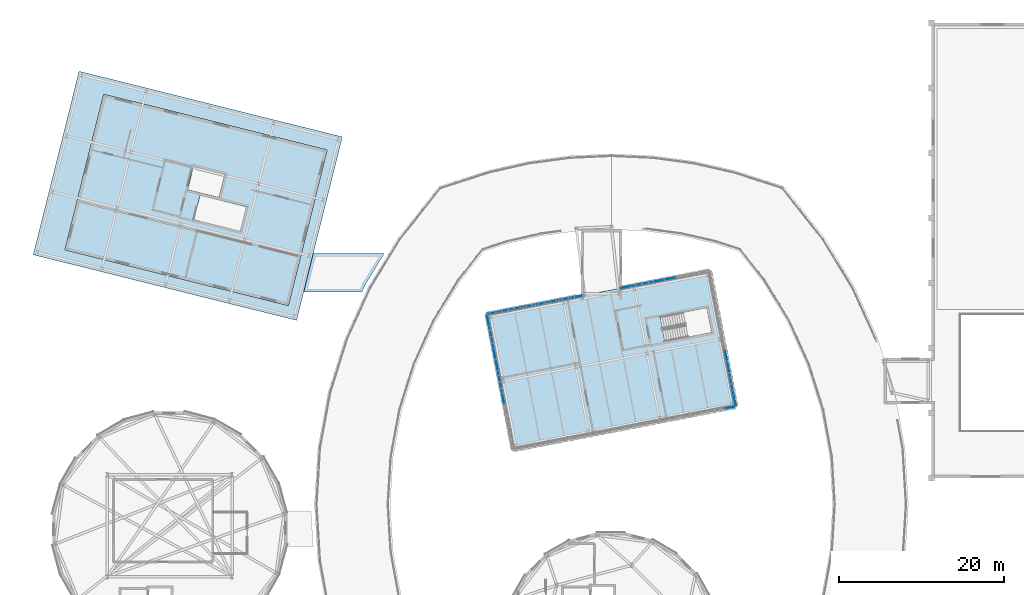
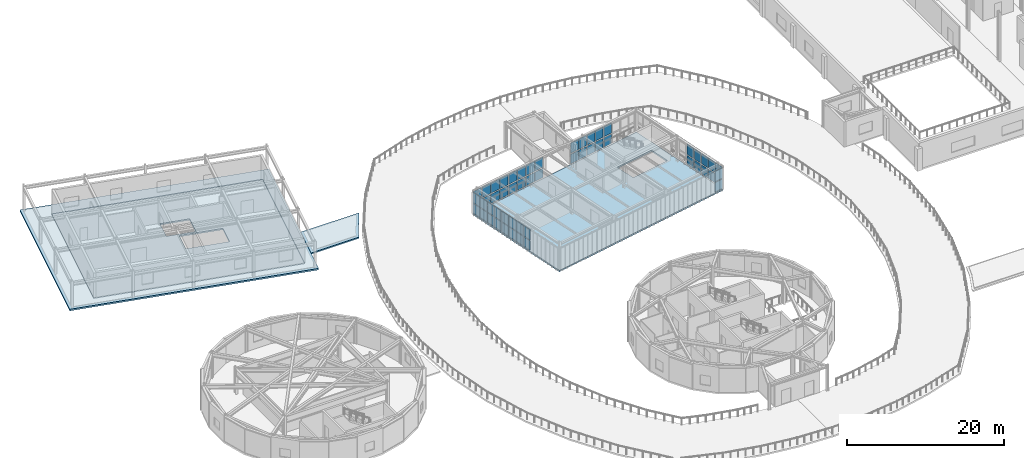
# One storey, part 28 of 59: 54 plates, 4 slabs, 9 elements without a shape of their own.
"""IFC4 building model written with IfcOpenShell, lengths in metres."""

from ifc_helpers import new_model, si_unit, direction, frame, origin, origin_2d, place, context, subcontext, project, spatial, polyline, rectangle, outline, extrude, material, layer, layer_set, type_object, element, aggregate, save


model = new_model("IFC4")

# Units and contexts
model_context = context("Model", 3, precision=1e-05, world=origin(), true_north=direction((0.0, 1.0)))
body_context = subcontext(model_context, "Body", "Model", "MODEL_VIEW")
ifc_project = project(units=[si_unit("LENGTHUNIT", "METRE"), si_unit("AREAUNIT", "SQUARE_METRE"), si_unit("VOLUMEUNIT", "CUBIC_METRE"), si_unit("PLANEANGLEUNIT", "RADIAN"), si_unit("MASSUNIT", "GRAM", prefix="KILO")], contexts=[model_context])

# Site, building, storey
site_placement = place(None, origin())
site = spatial("IfcSite", under=ifc_project, at=site_placement, CompositionType="ELEMENT")
building_placement = place(site_placement, origin())
building = spatial("IfcBuilding", under=site, at=building_placement, Name="Varnklinge Art Gallery", CompositionType="ELEMENT")
storey_placement = place(building_placement, frame((0.0, 0.0, 9.52001953125)))
storey = spatial("IfcBuildingStorey", under=building, at=storey_placement, Name="L02", CompositionType="ELEMENT", Elevation=9.52001953125)

# Curtain wall, plates
ifc_material_1 = material(Name="Anodised Aluminium", Category="aluminium")
curtain_wall_type_1 = type_object("IfcCurtainWallType", Name="CW-L03", PredefinedType="USERDEFINED", material=ifc_material_1)
curtain_wall_1_placement = place(storey_placement, origin())
curtain_wall_1 = element("IfcCurtainWall", 1, at=curtain_wall_1_placement, inside=storey, type_object=curtain_wall_type_1, Name="L02 Curtain Wall CW-V4B-L02-1-1-4", ObjectType="UNITISED CURTAIN WALL", PredefinedType="USERDEFINED")
ifc_material_2 = material(Name="Insulated Low-E Triple Glazing", Category="glass")
ifc_layer_1 = layer(ifc_material_2, 0.0439453125)
ifc_layer_set_1 = layer_set([ifc_layer_1], Name="Insulated Low-E Triple Glazing")
plate_type = type_object("IfcPlateType", Name="GLZ-44", PredefinedType="CURTAIN_PANEL", material=ifc_layer_set_1)
plate_1_placement = place(storey_placement, frame((89.95361328125, 66.752197265625, 0.14794921875), z_axis=(0.0, 0.0, 1.0), x_axis=(0.981627183448, 0.190808995377, 0.0)))
plate_1 = element("IfcPlate", 2, at=plate_1_placement, type_object=plate_type, Name="CW-V4B-L02-1-1-4 Glazing Panel 5.1", PredefinedType="CURTAIN_PANEL", context=body_context, shape_type="SweptSolid", body=[
    extrude(rectangle(XDim=1.271484375, YDim=0.0439453125, at=origin_2d()), origin(), (0.0, 0.0, 1.0), 1.4638671875),
])
plate_2_placement = place(storey_placement, frame((89.95361328125, 66.752197265625, 1.7578125), z_axis=(0.0, 0.0, 1.0), x_axis=(0.981627183448, 0.190808995377, 0.0)))
plate_2 = element("IfcPlate", 3, at=plate_2_placement, type_object=plate_type, Name="CW-V4B-L02-1-1-4 Glazing Panel 5.2", PredefinedType="CURTAIN_PANEL", context=body_context, shape_type="SweptSolid", body=[
    extrude(rectangle(XDim=1.271484375, YDim=0.0439453125, at=origin_2d()), origin(), (0.0, 0.0, 1.0), 1.604248046875),
])
aggregate(curtain_wall_1, [plate_1, plate_2])

ifc_material_3 = material(Name="Anodised Aluminium", Category="aluminium")
curtain_wall_type_2 = type_object("IfcCurtainWallType", Name="CW-L07", PredefinedType="USERDEFINED", material=ifc_material_3)
curtain_wall_2_placement = place(storey_placement, origin())
curtain_wall_2 = element("IfcCurtainWall", 4, at=curtain_wall_2_placement, inside=storey, type_object=curtain_wall_type_2, Name="L02 Curtain Wall CW-V4B-L02-2-1-1", ObjectType="UNITISED CURTAIN WALL", PredefinedType="USERDEFINED")
plate_3_placement = place(storey_placement, frame((90.51220703125, 67.593017578125, 0.14794921875), z_axis=(0.0, 0.0, 1.0), x_axis=(-0.190808995377, 0.981627183448, 0.0)))
plate_3 = element("IfcPlate", 5, at=plate_3_placement, type_object=plate_type, Name="CW-V4B-L02-2-1-1 Glazing Panel 1.1", PredefinedType="CURTAIN_PANEL", context=body_context, shape_type="SweptSolid", body=[
    extrude(rectangle(XDim=1.29150390625, YDim=0.0439453125, at=origin_2d()), origin(), (0.0, 0.0, 1.0), 1.4638671875),
])
plate_4_placement = place(storey_placement, frame((90.51220703125, 67.593017578125, 1.7578125), z_axis=(0.0, 0.0, 1.0), x_axis=(-0.190808995377, 0.981627183448, 0.0)))
plate_4 = element("IfcPlate", 6, at=plate_4_placement, type_object=plate_type, Name="CW-V4B-L02-2-1-1 Glazing Panel 1.2", PredefinedType="CURTAIN_PANEL", context=body_context, shape_type="SweptSolid", body=[
    extrude(rectangle(XDim=1.29150390625, YDim=0.0439453125, at=origin_2d()), origin(), (0.0, 0.0, 1.0), 1.604248046875),
])
plate_5_placement = place(storey_placement, frame((90.24853515625, 68.948974609375, 0.14794921875), z_axis=(0.0, 0.0, 1.0), x_axis=(-0.190808995377, 0.981627183448, 0.0)))
plate_5 = element("IfcPlate", 7, at=plate_5_placement, type_object=plate_type, Name="CW-V4B-L02-2-1-1 Glazing Panel 2.1", PredefinedType="CURTAIN_PANEL", context=body_context, shape_type="SweptSolid", body=[
    extrude(rectangle(XDim=1.3291015625, YDim=0.0439453125, at=origin_2d()), origin(), (0.0, 0.0, 1.0), 1.4638671875),
])
plate_6_placement = place(storey_placement, frame((90.24853515625, 68.948974609375, 1.7578125), z_axis=(0.0, 0.0, 1.0), x_axis=(-0.190808995377, 0.981627183448, 0.0)))
plate_6 = element("IfcPlate", 8, at=plate_6_placement, type_object=plate_type, Name="CW-V4B-L02-2-1-1 Glazing Panel 2.2", PredefinedType="CURTAIN_PANEL", context=body_context, shape_type="SweptSolid", body=[
    extrude(rectangle(XDim=1.3291015625, YDim=0.0439453125, at=origin_2d()), origin(), (0.0, 0.0, 1.0), 1.604248046875),
])
plate_7_placement = place(storey_placement, frame((89.9814453125, 70.3232421875, 0.14794921875), z_axis=(0.0, 0.0, 1.0), x_axis=(-0.190808995377, 0.981627183448, 0.0)))
plate_7 = element("IfcPlate", 9, at=plate_7_placement, type_object=plate_type, Name="CW-V4B-L02-2-1-1 Glazing Panel 3.1", PredefinedType="CURTAIN_PANEL", context=body_context, shape_type="SweptSolid", body=[
    extrude(rectangle(XDim=1.3291015625, YDim=0.0439453125, at=origin_2d()), origin(), (0.0, 0.0, 1.0), 1.4638671875),
])
plate_8_placement = place(storey_placement, frame((89.9814453125, 70.3232421875, 1.7578125), z_axis=(0.0, 0.0, 1.0), x_axis=(-0.190808995377, 0.981627183448, 0.0)))
plate_8 = element("IfcPlate", 10, at=plate_8_placement, type_object=plate_type, Name="CW-V4B-L02-2-1-1 Glazing Panel 3.2", PredefinedType="CURTAIN_PANEL", context=body_context, shape_type="SweptSolid", body=[
    extrude(rectangle(XDim=1.3291015625, YDim=0.0439453125, at=origin_2d()), origin(), (0.0, 0.0, 1.0), 1.604248046875),
])
plate_9_placement = place(storey_placement, frame((89.718017578125, 71.67919921875, 0.14794921875), z_axis=(0.0, 0.0, 1.0), x_axis=(-0.190808995377, 0.981627183448, 0.0)))
plate_9 = element("IfcPlate", 11, at=plate_9_placement, type_object=plate_type, Name="CW-V4B-L02-2-1-1 Glazing Panel 4.1", PredefinedType="CURTAIN_PANEL", context=body_context, shape_type="SweptSolid", body=[
    extrude(rectangle(XDim=1.29150390625, YDim=0.0439453125, at=origin_2d()), origin(), (0.0, 0.0, 1.0), 1.4638671875),
])
plate_10_placement = place(storey_placement, frame((89.718017578125, 71.67919921875, 1.7578125), z_axis=(0.0, 0.0, 1.0), x_axis=(-0.190808995377, 0.981627183448, 0.0)))
plate_10 = element("IfcPlate", 12, at=plate_10_placement, type_object=plate_type, Name="CW-V4B-L02-2-1-1 Glazing Panel 4.2", PredefinedType="CURTAIN_PANEL", context=body_context, shape_type="SweptSolid", body=[
    extrude(rectangle(XDim=1.29150390625, YDim=0.0439453125, at=origin_2d()), origin(), (0.0, 0.0, 1.0), 1.604248046875),
])
aggregate(curtain_wall_2, [plate_3, plate_4, plate_5, plate_6, plate_7, plate_8, plate_9, plate_10])

curtain_wall_3_placement = place(storey_placement, origin())
curtain_wall_3 = element("IfcCurtainWall", 13, at=curtain_wall_3_placement, inside=storey, type_object=curtain_wall_type_2, Name="L02 Curtain Wall CW-V4B-L02-2-1-2", ObjectType="UNITISED CURTAIN WALL", PredefinedType="USERDEFINED")
plate_11_placement = place(storey_placement, frame((89.443603515625, 73.090087890625, 0.14794921875), z_axis=(0.0, 0.0, 1.0), x_axis=(-0.190808995377, 0.981627183448, 0.0)))
plate_11 = element("IfcPlate", 14, at=plate_11_placement, type_object=plate_type, Name="CW-V4B-L02-2-1-2 Glazing Panel 1.1", PredefinedType="CURTAIN_PANEL", context=body_context, shape_type="SweptSolid", body=[
    extrude(rectangle(XDim=1.29150390625, YDim=0.0439453125, at=origin_2d()), origin(), (0.0, 0.0, 1.0), 1.4638671875),
])
plate_12_placement = place(storey_placement, frame((89.443603515625, 73.090087890625, 1.7578125), z_axis=(0.0, 0.0, 1.0), x_axis=(-0.190808995377, 0.981627183448, 0.0)))
plate_12 = element("IfcPlate", 15, at=plate_12_placement, type_object=plate_type, Name="CW-V4B-L02-2-1-2 Glazing Panel 1.2", PredefinedType="CURTAIN_PANEL", context=body_context, shape_type="SweptSolid", body=[
    extrude(rectangle(XDim=1.29150390625, YDim=0.0439453125, at=origin_2d()), origin(), (0.0, 0.0, 1.0), 1.604248046875),
])
aggregate(curtain_wall_3, [plate_11, plate_12])

curtain_wall_4_placement = place(storey_placement, origin())
curtain_wall_4 = element("IfcCurtainWall", 16, at=curtain_wall_4_placement, inside=storey, type_object=curtain_wall_type_2, Name="L02 Curtain Wall CW-V4B-L02-3-1-1", ObjectType="UNITISED CURTAIN WALL", PredefinedType="USERDEFINED")
plate_13_placement = place(storey_placement, frame((82.665283203125, 82.449951171875, 0.14794921875), z_axis=(0.0, 0.0, 1.0), x_axis=(-0.981627183448, -0.190808995377, 0.0)))
plate_13 = element("IfcPlate", 17, at=plate_13_placement, type_object=plate_type, Name="CW-V4B-L02-3-1-1 Glazing Panel 4.1", PredefinedType="CURTAIN_PANEL", context=body_context, shape_type="SweptSolid", body=[
    extrude(rectangle(XDim=1.28759765625, YDim=0.0439453125, at=origin_2d()), origin(), (0.0, 0.0, 1.0), 1.4638671875),
])
plate_14_placement = place(storey_placement, frame((82.665283203125, 82.449951171875, 1.7578125), z_axis=(0.0, 0.0, 1.0), x_axis=(-0.981627183448, -0.190808995377, 0.0)))
plate_14 = element("IfcPlate", 18, at=plate_14_placement, type_object=plate_type, Name="CW-V4B-L02-3-1-1 Glazing Panel 4.2", PredefinedType="CURTAIN_PANEL", context=body_context, shape_type="SweptSolid", body=[
    extrude(rectangle(XDim=1.28759765625, YDim=0.0439453125, at=origin_2d()), origin(), (0.0, 0.0, 1.0), 1.604248046875),
])
aggregate(curtain_wall_4, [plate_13, plate_14])

curtain_wall_5_placement = place(storey_placement, origin())
curtain_wall_5 = element("IfcCurtainWall", 19, at=curtain_wall_5_placement, inside=storey, type_object=curtain_wall_type_2, Name="L02 Curtain Wall CW-V4B-L02-3-1-2", ObjectType="UNITISED CURTAIN WALL", PredefinedType="USERDEFINED")
plate_15_placement = place(storey_placement, frame((81.25830078125, 82.176513671875, 0.14794921875), z_axis=(0.0, 0.0, 1.0), x_axis=(-0.981627183448, -0.190808995377, 0.0)))
plate_15 = element("IfcPlate", 20, at=plate_15_placement, type_object=plate_type, Name="CW-V4B-L02-3-1-2 Glazing Panel 1.1", PredefinedType="CURTAIN_PANEL", context=body_context, shape_type="SweptSolid", body=[
    extrude(rectangle(XDim=1.28759765625, YDim=0.0439453125, at=origin_2d()), origin(), (0.0, 0.0, 1.0), 1.4638671875),
])
plate_16_placement = place(storey_placement, frame((81.25830078125, 82.176513671875, 1.7578125), z_axis=(0.0, 0.0, 1.0), x_axis=(-0.981627183448, -0.190808995377, 0.0)))
plate_16 = element("IfcPlate", 21, at=plate_16_placement, type_object=plate_type, Name="CW-V4B-L02-3-1-2 Glazing Panel 1.2", PredefinedType="CURTAIN_PANEL", context=body_context, shape_type="SweptSolid", body=[
    extrude(rectangle(XDim=1.28759765625, YDim=0.0439453125, at=origin_2d()), origin(), (0.0, 0.0, 1.0), 1.604248046875),
])
plate_17_placement = place(storey_placement, frame((79.906005859375, 81.91357421875, 0.14794921875), z_axis=(0.0, 0.0, 1.0), x_axis=(-0.981627183448, -0.190808995377, 0.0)))
plate_17 = element("IfcPlate", 22, at=plate_17_placement, type_object=plate_type, Name="CW-V4B-L02-3-1-2 Glazing Panel 2.1", PredefinedType="CURTAIN_PANEL", context=body_context, shape_type="SweptSolid", body=[
    extrude(rectangle(XDim=1.3251953125, YDim=0.0439453125, at=origin_2d()), origin(), (0.0, 0.0, 1.0), 1.4638671875),
])
plate_18_placement = place(storey_placement, frame((79.906005859375, 81.91357421875, 1.7578125), z_axis=(0.0, 0.0, 1.0), x_axis=(-0.981627183448, -0.190808995377, 0.0)))
plate_18 = element("IfcPlate", 23, at=plate_18_placement, type_object=plate_type, Name="CW-V4B-L02-3-1-2 Glazing Panel 2.2", PredefinedType="CURTAIN_PANEL", context=body_context, shape_type="SweptSolid", body=[
    extrude(rectangle(XDim=1.3251953125, YDim=0.0439453125, at=origin_2d()), origin(), (0.0, 0.0, 1.0), 1.604248046875),
])
plate_19_placement = place(storey_placement, frame((78.53564453125, 81.647216796875, 0.14794921875), z_axis=(0.0, 0.0, 1.0), x_axis=(-0.981627183448, -0.190808995377, 0.0)))
plate_19 = element("IfcPlate", 24, at=plate_19_placement, type_object=plate_type, Name="CW-V4B-L02-3-1-2 Glazing Panel 3.1", PredefinedType="CURTAIN_PANEL", context=body_context, shape_type="SweptSolid", body=[
    extrude(rectangle(XDim=1.3251953125, YDim=0.0439453125, at=origin_2d()), origin(), (0.0, 0.0, 1.0), 1.4638671875),
])
plate_20_placement = place(storey_placement, frame((78.53564453125, 81.647216796875, 1.7578125), z_axis=(0.0, 0.0, 1.0), x_axis=(-0.981627183448, -0.190808995377, 0.0)))
plate_20 = element("IfcPlate", 25, at=plate_20_placement, type_object=plate_type, Name="CW-V4B-L02-3-1-2 Glazing Panel 3.2", PredefinedType="CURTAIN_PANEL", context=body_context, shape_type="SweptSolid", body=[
    extrude(rectangle(XDim=1.3251953125, YDim=0.0439453125, at=origin_2d()), origin(), (0.0, 0.0, 1.0), 1.604248046875),
])
plate_21_placement = place(storey_placement, frame((77.18359375, 81.384521484375, 0.14794921875), z_axis=(0.0, 0.0, 1.0), x_axis=(-0.981627183448, -0.190808995377, 0.0)))
plate_21 = element("IfcPlate", 26, at=plate_21_placement, type_object=plate_type, Name="CW-V4B-L02-3-1-2 Glazing Panel 4.1", PredefinedType="CURTAIN_PANEL", context=body_context, shape_type="SweptSolid", body=[
    extrude(rectangle(XDim=1.28759765625, YDim=0.0439453125, at=origin_2d()), origin(), (0.0, 0.0, 1.0), 1.4638671875),
])
plate_22_placement = place(storey_placement, frame((77.18359375, 81.384521484375, 1.7578125), z_axis=(0.0, 0.0, 1.0), x_axis=(-0.981627183448, -0.190808995377, 0.0)))
plate_22 = element("IfcPlate", 27, at=plate_22_placement, type_object=plate_type, Name="CW-V4B-L02-3-1-2 Glazing Panel 4.2", PredefinedType="CURTAIN_PANEL", context=body_context, shape_type="SweptSolid", body=[
    extrude(rectangle(XDim=1.28759765625, YDim=0.0439453125, at=origin_2d()), origin(), (0.0, 0.0, 1.0), 1.604248046875),
])
aggregate(curtain_wall_5, [plate_15, plate_16, plate_17, plate_18, plate_19, plate_20, plate_21, plate_22])

curtain_wall_6_placement = place(storey_placement, origin())
curtain_wall_6 = element("IfcCurtainWall", 28, at=curtain_wall_6_placement, inside=storey, type_object=curtain_wall_type_1, Name="L02 Curtain Wall CW-V4B-L02-3-2-1", ObjectType="UNITISED CURTAIN WALL", PredefinedType="USERDEFINED")
plate_23_placement = place(storey_placement, frame((71.260986328125, 80.2333984375, 0.14794921875), z_axis=(0.0, 0.0, 1.0), x_axis=(-0.981627183448, -0.190808995377, 0.0)))
plate_23 = element("IfcPlate", 29, at=plate_23_placement, type_object=plate_type, Name="CW-V4B-L02-3-2-1 Glazing Panel 1.1", PredefinedType="CURTAIN_PANEL", context=body_context, shape_type="SweptSolid", body=[
    extrude(rectangle(XDim=1.359619140625, YDim=0.0439453125, at=origin_2d()), origin(), (0.0, 0.0, 1.0), 1.4638671875),
])
plate_24_placement = place(storey_placement, frame((71.260986328125, 80.2333984375, 1.7578125), z_axis=(0.0, 0.0, 1.0), x_axis=(-0.981627183448, -0.190808995377, 0.0)))
plate_24 = element("IfcPlate", 30, at=plate_24_placement, type_object=plate_type, Name="CW-V4B-L02-3-2-1 Glazing Panel 1.2", PredefinedType="CURTAIN_PANEL", context=body_context, shape_type="SweptSolid", body=[
    extrude(rectangle(XDim=1.359619140625, YDim=0.0439453125, at=origin_2d()), origin(), (0.0, 0.0, 1.0), 1.604248046875),
])
plate_25_placement = place(storey_placement, frame((69.838134765625, 79.956787109375, 0.14794921875), z_axis=(0.0, 0.0, 1.0), x_axis=(-0.981627183448, -0.190808995377, 0.0)))
plate_25 = element("IfcPlate", 31, at=plate_25_placement, type_object=plate_type, Name="CW-V4B-L02-3-2-1 Glazing Panel 2.1", PredefinedType="CURTAIN_PANEL", context=body_context, shape_type="SweptSolid", body=[
    extrude(rectangle(XDim=1.397216796875, YDim=0.0439453125, at=origin_2d()), origin(), (0.0, 0.0, 1.0), 1.4638671875),
])
plate_26_placement = place(storey_placement, frame((69.838134765625, 79.956787109375, 1.7578125), z_axis=(0.0, 0.0, 1.0), x_axis=(-0.981627183448, -0.190808995377, 0.0)))
plate_26 = element("IfcPlate", 32, at=plate_26_placement, type_object=plate_type, Name="CW-V4B-L02-3-2-1 Glazing Panel 2.2", PredefinedType="CURTAIN_PANEL", context=body_context, shape_type="SweptSolid", body=[
    extrude(rectangle(XDim=1.397216796875, YDim=0.0439453125, at=origin_2d()), origin(), (0.0, 0.0, 1.0), 1.604248046875),
])
plate_27_placement = place(storey_placement, frame((68.397216796875, 79.676513671875, 0.14794921875), z_axis=(0.0, 0.0, 1.0), x_axis=(-0.981627183448, -0.190808995377, 0.0)))
plate_27 = element("IfcPlate", 33, at=plate_27_placement, type_object=plate_type, Name="CW-V4B-L02-3-2-1 Glazing Panel 3.1", PredefinedType="CURTAIN_PANEL", context=body_context, shape_type="SweptSolid", body=[
    extrude(rectangle(XDim=1.397216796875, YDim=0.0439453125, at=origin_2d()), origin(), (0.0, 0.0, 1.0), 1.4638671875),
])
plate_28_placement = place(storey_placement, frame((68.397216796875, 79.676513671875, 1.7578125), z_axis=(0.0, 0.0, 1.0), x_axis=(-0.981627183448, -0.190808995377, 0.0)))
plate_28 = element("IfcPlate", 34, at=plate_28_placement, type_object=plate_type, Name="CW-V4B-L02-3-2-1 Glazing Panel 3.2", PredefinedType="CURTAIN_PANEL", context=body_context, shape_type="SweptSolid", body=[
    extrude(rectangle(XDim=1.397216796875, YDim=0.0439453125, at=origin_2d()), origin(), (0.0, 0.0, 1.0), 1.604248046875),
])
plate_29_placement = place(storey_placement, frame((66.974365234375, 79.39990234375, 0.14794921875), z_axis=(0.0, 0.0, 1.0), x_axis=(-0.981627183448, -0.190808995377, 0.0)))
plate_29 = element("IfcPlate", 35, at=plate_29_placement, type_object=plate_type, Name="CW-V4B-L02-3-2-1 Glazing Panel 4.1", PredefinedType="CURTAIN_PANEL", context=body_context, shape_type="SweptSolid", body=[
    extrude(rectangle(XDim=1.359619140625, YDim=0.0439453125, at=origin_2d()), origin(), (0.0, 0.0, 1.0), 1.4638671875),
])
plate_30_placement = place(storey_placement, frame((66.974365234375, 79.39990234375, 1.7578125), z_axis=(0.0, 0.0, 1.0), x_axis=(-0.981627183448, -0.190808995377, 0.0)))
plate_30 = element("IfcPlate", 36, at=plate_30_placement, type_object=plate_type, Name="CW-V4B-L02-3-2-1 Glazing Panel 4.2", PredefinedType="CURTAIN_PANEL", context=body_context, shape_type="SweptSolid", body=[
    extrude(rectangle(XDim=1.359619140625, YDim=0.0439453125, at=origin_2d()), origin(), (0.0, 0.0, 1.0), 1.604248046875),
])
aggregate(curtain_wall_6, [plate_23, plate_24, plate_25, plate_26, plate_27, plate_28, plate_29, plate_30])

curtain_wall_7_placement = place(storey_placement, origin())
curtain_wall_7 = element("IfcCurtainWall", 37, at=curtain_wall_7_placement, inside=storey, type_object=curtain_wall_type_1, Name="L02 Curtain Wall CW-V4B-L02-3-2-2", ObjectType="UNITISED CURTAIN WALL", PredefinedType="USERDEFINED")
plate_31_placement = place(storey_placement, frame((65.481201171875, 79.10986328125, 0.14794921875), z_axis=(0.0, 0.0, 1.0), x_axis=(-0.981627183448, -0.190808995377, 0.0)))
plate_31 = element("IfcPlate", 38, at=plate_31_placement, type_object=plate_type, Name="CW-V4B-L02-3-2-2 Glazing Panel 1.1", PredefinedType="CURTAIN_PANEL", context=body_context, shape_type="SweptSolid", body=[
    extrude(rectangle(XDim=1.39013671875, YDim=0.0439453125, at=origin_2d()), origin(), (0.0, 0.0, 1.0), 1.4638671875),
])
plate_32_placement = place(storey_placement, frame((65.481201171875, 79.10986328125, 1.7578125), z_axis=(0.0, 0.0, 1.0), x_axis=(-0.981627183448, -0.190808995377, 0.0)))
plate_32 = element("IfcPlate", 39, at=plate_32_placement, type_object=plate_type, Name="CW-V4B-L02-3-2-2 Glazing Panel 1.2", PredefinedType="CURTAIN_PANEL", context=body_context, shape_type="SweptSolid", body=[
    extrude(rectangle(XDim=1.39013671875, YDim=0.0439453125, at=origin_2d()), origin(), (0.0, 0.0, 1.0), 1.604248046875),
])
plate_33_placement = place(storey_placement, frame((64.028564453125, 78.827392578125, 0.14794921875), z_axis=(0.0, 0.0, 1.0), x_axis=(-0.981627183448, -0.190808995377, 0.0)))
plate_33 = element("IfcPlate", 40, at=plate_33_placement, type_object=plate_type, Name="CW-V4B-L02-3-2-2 Glazing Panel 2.1", PredefinedType="CURTAIN_PANEL", context=body_context, shape_type="SweptSolid", body=[
    extrude(rectangle(XDim=1.427734375, YDim=0.0439453125, at=origin_2d()), origin(), (0.0, 0.0, 1.0), 1.4638671875),
])
plate_34_placement = place(storey_placement, frame((64.028564453125, 78.827392578125, 1.7578125), z_axis=(0.0, 0.0, 1.0), x_axis=(-0.981627183448, -0.190808995377, 0.0)))
plate_34 = element("IfcPlate", 41, at=plate_34_placement, type_object=plate_type, Name="CW-V4B-L02-3-2-2 Glazing Panel 2.2", PredefinedType="CURTAIN_PANEL", context=body_context, shape_type="SweptSolid", body=[
    extrude(rectangle(XDim=1.427734375, YDim=0.0439453125, at=origin_2d()), origin(), (0.0, 0.0, 1.0), 1.604248046875),
])
plate_35_placement = place(storey_placement, frame((62.557373046875, 78.54150390625, 0.14794921875), z_axis=(0.0, 0.0, 1.0), x_axis=(-0.981627183448, -0.190808995377, 0.0)))
plate_35 = element("IfcPlate", 42, at=plate_35_placement, type_object=plate_type, Name="CW-V4B-L02-3-2-2 Glazing Panel 3.1", PredefinedType="CURTAIN_PANEL", context=body_context, shape_type="SweptSolid", body=[
    extrude(rectangle(XDim=1.427734375, YDim=0.0439453125, at=origin_2d()), origin(), (0.0, 0.0, 1.0), 1.4638671875),
])
plate_36_placement = place(storey_placement, frame((62.557373046875, 78.54150390625, 1.7578125), z_axis=(0.0, 0.0, 1.0), x_axis=(-0.981627183448, -0.190808995377, 0.0)))
plate_36 = element("IfcPlate", 43, at=plate_36_placement, type_object=plate_type, Name="CW-V4B-L02-3-2-2 Glazing Panel 3.2", PredefinedType="CURTAIN_PANEL", context=body_context, shape_type="SweptSolid", body=[
    extrude(rectangle(XDim=1.427734375, YDim=0.0439453125, at=origin_2d()), origin(), (0.0, 0.0, 1.0), 1.604248046875),
])
plate_37_placement = place(storey_placement, frame((61.104736328125, 78.259033203125, 0.14794921875), z_axis=(0.0, 0.0, 1.0), x_axis=(-0.981627183448, -0.190808995377, 0.0)))
plate_37 = element("IfcPlate", 44, at=plate_37_placement, type_object=plate_type, Name="CW-V4B-L02-3-2-2 Glazing Panel 4.1", PredefinedType="CURTAIN_PANEL", context=body_context, shape_type="SweptSolid", body=[
    extrude(rectangle(XDim=1.39013671875, YDim=0.0439453125, at=origin_2d()), origin(), (0.0, 0.0, 1.0), 1.4638671875),
])
plate_38_placement = place(storey_placement, frame((61.104736328125, 78.259033203125, 1.7578125), z_axis=(0.0, 0.0, 1.0), x_axis=(-0.981627183448, -0.190808995377, 0.0)))
plate_38 = element("IfcPlate", 45, at=plate_38_placement, type_object=plate_type, Name="CW-V4B-L02-3-2-2 Glazing Panel 4.2", PredefinedType="CURTAIN_PANEL", context=body_context, shape_type="SweptSolid", body=[
    extrude(rectangle(XDim=1.39013671875, YDim=0.0439453125, at=origin_2d()), origin(), (0.0, 0.0, 1.0), 1.604248046875),
])
aggregate(curtain_wall_7, [plate_31, plate_32, plate_33, plate_34, plate_35, plate_36, plate_37, plate_38])

curtain_wall_8_placement = place(storey_placement, origin())
curtain_wall_8 = element("IfcCurtainWall", 46, at=curtain_wall_8_placement, inside=storey, type_object=curtain_wall_type_2, Name="L02 Curtain Wall CW-V4B-L02-4-1-1", ObjectType="UNITISED CURTAIN WALL", PredefinedType="USERDEFINED")
plate_39_placement = place(storey_placement, frame((60.48779296875, 77.406982421875, 0.14794921875), z_axis=(0.0, 0.0, 1.0), x_axis=(0.190808995377, -0.981627183448, 0.0)))
plate_39 = element("IfcPlate", 47, at=plate_39_placement, type_object=plate_type, Name="CW-V4B-L02-4-1-1 Glazing Panel 1.1", PredefinedType="CURTAIN_PANEL", context=body_context, shape_type="SweptSolid", body=[
    extrude(rectangle(XDim=1.29150390625, YDim=0.0439453125, at=origin_2d()), origin(), (0.0, 0.0, 1.0), 1.4638671875),
])
plate_40_placement = place(storey_placement, frame((60.48779296875, 77.406982421875, 1.7578125), z_axis=(0.0, 0.0, 1.0), x_axis=(0.190808995377, -0.981627183448, 0.0)))
plate_40 = element("IfcPlate", 48, at=plate_40_placement, type_object=plate_type, Name="CW-V4B-L02-4-1-1 Glazing Panel 1.2", PredefinedType="CURTAIN_PANEL", context=body_context, shape_type="SweptSolid", body=[
    extrude(rectangle(XDim=1.29150390625, YDim=0.0439453125, at=origin_2d()), origin(), (0.0, 0.0, 1.0), 1.604248046875),
])
plate_41_placement = place(storey_placement, frame((60.75146484375, 76.051025390625, 0.14794921875), z_axis=(0.0, 0.0, 1.0), x_axis=(0.190808995377, -0.981627183448, 0.0)))
plate_41 = element("IfcPlate", 49, at=plate_41_placement, type_object=plate_type, Name="CW-V4B-L02-4-1-1 Glazing Panel 2.1", PredefinedType="CURTAIN_PANEL", context=body_context, shape_type="SweptSolid", body=[
    extrude(rectangle(XDim=1.3291015625, YDim=0.0439453125, at=origin_2d()), origin(), (0.0, 0.0, 1.0), 1.4638671875),
])
plate_42_placement = place(storey_placement, frame((60.75146484375, 76.051025390625, 1.7578125), z_axis=(0.0, 0.0, 1.0), x_axis=(0.190808995377, -0.981627183448, 0.0)))
plate_42 = element("IfcPlate", 50, at=plate_42_placement, type_object=plate_type, Name="CW-V4B-L02-4-1-1 Glazing Panel 2.2", PredefinedType="CURTAIN_PANEL", context=body_context, shape_type="SweptSolid", body=[
    extrude(rectangle(XDim=1.3291015625, YDim=0.0439453125, at=origin_2d()), origin(), (0.0, 0.0, 1.0), 1.604248046875),
])
plate_43_placement = place(storey_placement, frame((61.0185546875, 74.6767578125, 0.14794921875), z_axis=(0.0, 0.0, 1.0), x_axis=(0.190808995377, -0.981627183448, 0.0)))
plate_43 = element("IfcPlate", 51, at=plate_43_placement, type_object=plate_type, Name="CW-V4B-L02-4-1-1 Glazing Panel 3.1", PredefinedType="CURTAIN_PANEL", context=body_context, shape_type="SweptSolid", body=[
    extrude(rectangle(XDim=1.3291015625, YDim=0.0439453125, at=origin_2d()), origin(), (0.0, 0.0, 1.0), 1.4638671875),
])
plate_44_placement = place(storey_placement, frame((61.0185546875, 74.6767578125, 1.7578125), z_axis=(0.0, 0.0, 1.0), x_axis=(0.190808995377, -0.981627183448, 0.0)))
plate_44 = element("IfcPlate", 52, at=plate_44_placement, type_object=plate_type, Name="CW-V4B-L02-4-1-1 Glazing Panel 3.2", PredefinedType="CURTAIN_PANEL", context=body_context, shape_type="SweptSolid", body=[
    extrude(rectangle(XDim=1.3291015625, YDim=0.0439453125, at=origin_2d()), origin(), (0.0, 0.0, 1.0), 1.604248046875),
])
plate_45_placement = place(storey_placement, frame((61.281982421875, 73.32080078125, 0.14794921875), z_axis=(0.0, 0.0, 1.0), x_axis=(0.190808995377, -0.981627183448, 0.0)))
plate_45 = element("IfcPlate", 53, at=plate_45_placement, type_object=plate_type, Name="CW-V4B-L02-4-1-1 Glazing Panel 4.1", PredefinedType="CURTAIN_PANEL", context=body_context, shape_type="SweptSolid", body=[
    extrude(rectangle(XDim=1.29150390625, YDim=0.0439453125, at=origin_2d()), origin(), (0.0, 0.0, 1.0), 1.4638671875),
])
plate_46_placement = place(storey_placement, frame((61.281982421875, 73.32080078125, 1.7578125), z_axis=(0.0, 0.0, 1.0), x_axis=(0.190808995377, -0.981627183448, 0.0)))
plate_46 = element("IfcPlate", 54, at=plate_46_placement, type_object=plate_type, Name="CW-V4B-L02-4-1-1 Glazing Panel 4.2", PredefinedType="CURTAIN_PANEL", context=body_context, shape_type="SweptSolid", body=[
    extrude(rectangle(XDim=1.29150390625, YDim=0.0439453125, at=origin_2d()), origin(), (0.0, 0.0, 1.0), 1.604248046875),
])
aggregate(curtain_wall_8, [plate_39, plate_40, plate_41, plate_42, plate_43, plate_44, plate_45, plate_46])

curtain_wall_9_placement = place(storey_placement, origin())
curtain_wall_9 = element("IfcCurtainWall", 55, at=curtain_wall_9_placement, inside=storey, type_object=curtain_wall_type_2, Name="L02 Curtain Wall CW-V4B-L02-4-1-2", ObjectType="UNITISED CURTAIN WALL", PredefinedType="USERDEFINED")
plate_47_placement = place(storey_placement, frame((61.556396484375, 71.909912109375, 0.14794921875), z_axis=(0.0, 0.0, 1.0), x_axis=(0.190808995377, -0.981627183448, 0.0)))
plate_47 = element("IfcPlate", 56, at=plate_47_placement, type_object=plate_type, Name="CW-V4B-L02-4-1-2 Glazing Panel 1.1", PredefinedType="CURTAIN_PANEL", context=body_context, shape_type="SweptSolid", body=[
    extrude(rectangle(XDim=1.29150390625, YDim=0.0439453125, at=origin_2d()), origin(), (0.0, 0.0, 1.0), 1.4638671875),
])
plate_48_placement = place(storey_placement, frame((61.556396484375, 71.909912109375, 1.7578125), z_axis=(0.0, 0.0, 1.0), x_axis=(0.190808995377, -0.981627183448, 0.0)))
plate_48 = element("IfcPlate", 57, at=plate_48_placement, type_object=plate_type, Name="CW-V4B-L02-4-1-2 Glazing Panel 1.2", PredefinedType="CURTAIN_PANEL", context=body_context, shape_type="SweptSolid", body=[
    extrude(rectangle(XDim=1.29150390625, YDim=0.0439453125, at=origin_2d()), origin(), (0.0, 0.0, 1.0), 1.604248046875),
])
plate_49_placement = place(storey_placement, frame((61.81982421875, 70.553955078125, 0.14794921875), z_axis=(0.0, 0.0, 1.0), x_axis=(0.190808995377, -0.981627183448, 0.0)))
plate_49 = element("IfcPlate", 58, at=plate_49_placement, type_object=plate_type, Name="CW-V4B-L02-4-1-2 Glazing Panel 2.1", PredefinedType="CURTAIN_PANEL", context=body_context, shape_type="SweptSolid", body=[
    extrude(rectangle(XDim=1.3291015625, YDim=0.0439453125, at=origin_2d()), origin(), (0.0, 0.0, 1.0), 1.4638671875),
])
plate_50_placement = place(storey_placement, frame((61.81982421875, 70.553955078125, 1.7578125), z_axis=(0.0, 0.0, 1.0), x_axis=(0.190808995377, -0.981627183448, 0.0)))
plate_50 = element("IfcPlate", 59, at=plate_50_placement, type_object=plate_type, Name="CW-V4B-L02-4-1-2 Glazing Panel 2.2", PredefinedType="CURTAIN_PANEL", context=body_context, shape_type="SweptSolid", body=[
    extrude(rectangle(XDim=1.3291015625, YDim=0.0439453125, at=origin_2d()), origin(), (0.0, 0.0, 1.0), 1.604248046875),
])
plate_51_placement = place(storey_placement, frame((62.087158203125, 69.1796875, 0.14794921875), z_axis=(0.0, 0.0, 1.0), x_axis=(0.190808995377, -0.981627183448, 0.0)))
plate_51 = element("IfcPlate", 60, at=plate_51_placement, type_object=plate_type, Name="CW-V4B-L02-4-1-2 Glazing Panel 3.1", PredefinedType="CURTAIN_PANEL", context=body_context, shape_type="SweptSolid", body=[
    extrude(rectangle(XDim=1.3291015625, YDim=0.0439453125, at=origin_2d()), origin(), (0.0, 0.0, 1.0), 1.4638671875),
])
plate_52_placement = place(storey_placement, frame((62.087158203125, 69.1796875, 1.7578125), z_axis=(0.0, 0.0, 1.0), x_axis=(0.190808995377, -0.981627183448, 0.0)))
plate_52 = element("IfcPlate", 61, at=plate_52_placement, type_object=plate_type, Name="CW-V4B-L02-4-1-2 Glazing Panel 3.2", PredefinedType="CURTAIN_PANEL", context=body_context, shape_type="SweptSolid", body=[
    extrude(rectangle(XDim=1.3291015625, YDim=0.0439453125, at=origin_2d()), origin(), (0.0, 0.0, 1.0), 1.604248046875),
])
plate_53_placement = place(storey_placement, frame((62.3505859375, 67.82373046875, 0.14794921875), z_axis=(0.0, 0.0, 1.0), x_axis=(0.190808995377, -0.981627183448, 0.0)))
plate_53 = element("IfcPlate", 62, at=plate_53_placement, type_object=plate_type, Name="CW-V4B-L02-4-1-2 Glazing Panel 4.1", PredefinedType="CURTAIN_PANEL", context=body_context, shape_type="SweptSolid", body=[
    extrude(rectangle(XDim=1.29150390625, YDim=0.0439453125, at=origin_2d()), origin(), (0.0, 0.0, 1.0), 1.4638671875),
])
plate_54_placement = place(storey_placement, frame((62.3505859375, 67.82373046875, 1.7578125), z_axis=(0.0, 0.0, 1.0), x_axis=(0.190808995377, -0.981627183448, 0.0)))
plate_54 = element("IfcPlate", 63, at=plate_54_placement, type_object=plate_type, Name="CW-V4B-L02-4-1-2 Glazing Panel 4.2", PredefinedType="CURTAIN_PANEL", context=body_context, shape_type="SweptSolid", body=[
    extrude(rectangle(XDim=1.29150390625, YDim=0.0439453125, at=origin_2d()), origin(), (0.0, 0.0, 1.0), 1.604248046875),
])
aggregate(curtain_wall_9, [plate_47, plate_48, plate_49, plate_50, plate_51, plate_52, plate_53, plate_54])

# Slabs
ifc_material_4 = material(Name="Concrete C35/45", Category="concrete")
ifc_layer_2 = layer(ifc_material_4, 0.219970703125)
ifc_layer_set_2 = layer_set([ifc_layer_2], Name="Concrete C35/45")
slab_type_1 = type_object("IfcSlabType", Name="SLB-F22", PredefinedType="FLOOR", material=ifc_layer_set_2)
slab_1_placement = place(storey_placement, frame((0.0, 0.0, -0.219970703125)))
element("IfcSlab", 64, at=slab_1_placement, inside=storey, type_object=slab_type_1, Name="L02 Lattice Exhibition Box Floor Slab", PredefinedType="FLOOR", context=body_context, shape_type="SweptSolid", body=[
    extrude(outline(polyline([(63.556396484375, 61.62109375), (90.6494140625, 66.887451171875), (87.443603515625, 83.37890625), (60.3505859375, 78.112548828125), (63.556396484375, 61.62109375)]), holes=[polyline([(81.4248046875, 77.78759765625), (87.09375, 78.8896484375), (87.677490234375, 75.8857421875), (82.0087890625, 74.783935546875), (81.4248046875, 77.78759765625)])]), origin(), (0.0, 0.0, 1.0), 0.219970703125),
])
slab_2_placement = place(storey_placement, frame((0.0, 0.0, -0.219970703125)))
element("IfcSlab", 65, at=slab_2_placement, inside=storey, type_object=slab_type_1, Name="L02 Conservation Wing Slab", PredefinedType="FLOOR", context=body_context, shape_type="SweptSolid", body=[
    extrude(outline(polyline([(13.774658203125, 104.847412109375), (9.05712890625, 85.926513671875), (36.225341796875, 79.152587890625), (40.94287109375, 98.073486328125), (13.774658203125, 104.847412109375)]), holes=[polyline([(25.501220703125, 92.560302734375), (31.1044921875, 91.1630859375), (30.3642578125, 88.194091796875), (24.7607421875, 89.591064453125), (25.501220703125, 92.560302734375)]), polyline([(28.482666015625, 95.11474609375), (27.78125, 92.30078125), (23.9970703125, 93.244384765625), (24.698486328125, 96.058349609375), (28.482666015625, 95.11474609375)])]), origin(), (0.0, 0.0, 1.0), 0.219970703125),
])
ifc_material_5 = material(Name="Concrete C35/45", Category="concrete")
ifc_layer_3 = layer(ifc_material_5, 0.199951171875)
ifc_layer_set_3 = layer_set([ifc_layer_3], Name="Concrete C35/45")
slab_type_2 = type_object("IfcSlabType", Name="SLB-ROOF20", PredefinedType="ROOF", material=ifc_layer_set_3)
slab_3_placement = place(storey_placement, frame((0.0, 0.0, -0.199951171875)))
element("IfcSlab", 66, at=slab_3_placement, inside=storey, type_object=slab_type_2, Name="L02 LNK-V5 Link Roof Slab", PredefinedType="ROOF", context=body_context, shape_type="SweptSolid", body=[
    extrude(outline(polyline([(45.164794921875, 80.800048828125), (45.564697265625, 81.680908203125), (45.59033203125, 81.729248046875), (47.8916015625, 85.5), (39.259765625, 85.5), (38.087890625, 80.800048828125), (45.164794921875, 80.800048828125)])), origin(), (0.0, 0.0, 1.0), 0.199951171875),
])
ifc_material_6 = material(Name="Concrete C35/45", Category="concrete")
ifc_layer_4 = layer(ifc_material_6, 0.239990234375)
ifc_layer_set_4 = layer_set([ifc_layer_4], Name="Concrete C35/45")
slab_type_3 = type_object("IfcSlabType", Name="SLB-ROOF24", PredefinedType="ROOF", material=ifc_layer_set_4)
slab_4_placement = place(storey_placement, frame((0.0, 0.0, -0.239990234375)))
element("IfcSlab", 67, at=slab_4_placement, inside=storey, type_object=slab_type_3, Name="L02 Conservation Stepped Green Roof", PredefinedType="ROOF", context=body_context, shape_type="SweptSolid", body=[
    extrude(outline(polyline([(10.772216796875, 107.650146484375), (5.2080078125, 85.333251953125), (37.227783203125, 77.349853515625), (42.7919921875, 99.666748046875), (10.772216796875, 107.650146484375)]), holes=[polyline([(13.774658203125, 104.847412109375), (40.94287109375, 98.073486328125), (36.225341796875, 79.152587890625), (9.05712890625, 85.926513671875), (13.774658203125, 104.847412109375)])]), origin(), (0.0, 0.0, 1.0), 0.239990234375),
])

save(model, "model.ifc")
